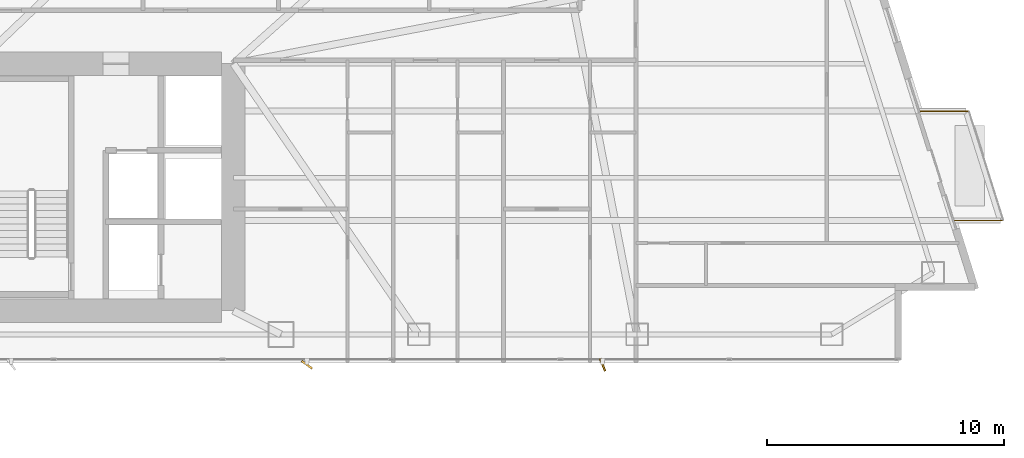
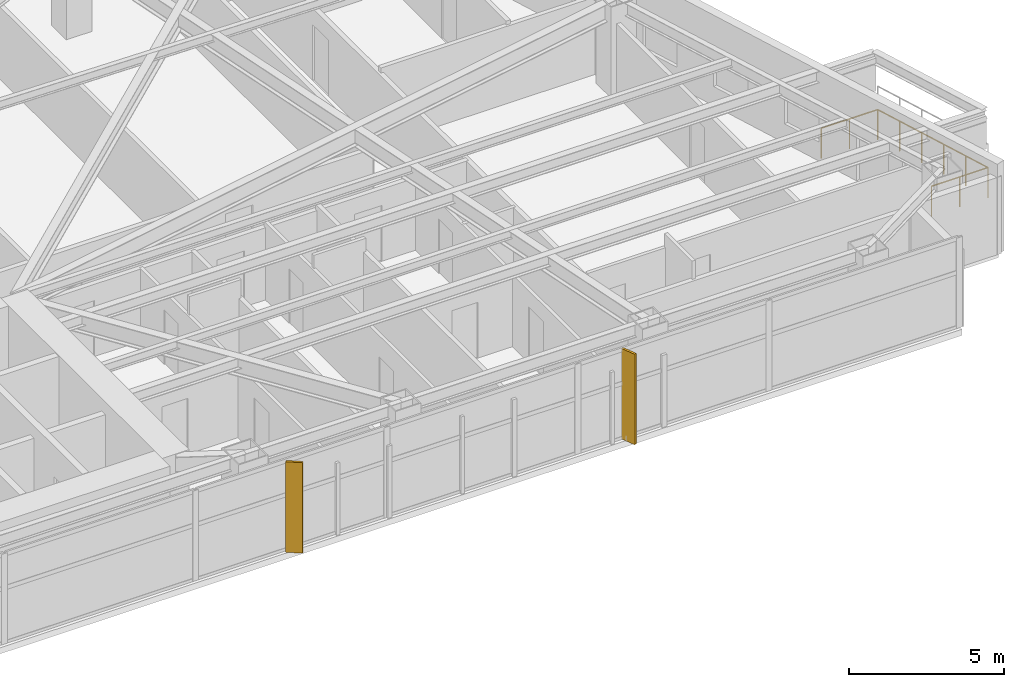
# One storey, part 29 of 30: 2 shading devices, 1 railing.
"""IFC4 building model written with IfcOpenShell, lengths in metres."""

from ifc_helpers import new_model, si_unit, direction, frame, origin, origin_2d, place, context, subcontext, project, spatial, rectangle, circle, extrude, material, type_object, element, save


model = new_model("IFC4")

# Units and contexts
model_context = context("Model", 3, precision=1e-05, world=origin(), true_north=direction((0.0, 1.0)))
body_context = subcontext(model_context, "Body", "Model", "MODEL_VIEW")
ifc_project = project(units=[si_unit("LENGTHUNIT", "METRE"), si_unit("AREAUNIT", "SQUARE_METRE"), si_unit("VOLUMEUNIT", "CUBIC_METRE"), si_unit("PLANEANGLEUNIT", "RADIAN"), si_unit("MASSUNIT", "GRAM", prefix="KILO")], contexts=[model_context])

# Site, building, storey
site_placement = place(None, origin())
site = spatial("IfcSite", under=ifc_project, at=site_placement, CompositionType="ELEMENT")
building_placement = place(site_placement, origin())
building = spatial("IfcBuilding", under=site, at=building_placement, Name="Calvorn Quay Hotel", CompositionType="ELEMENT")
storey_placement = place(building_placement, frame((0.0, 0.0, 50.800048828125)))
storey = spatial("IfcBuildingStorey", under=building, at=storey_placement, Name="L11", CompositionType="ELEMENT", Elevation=50.800048828125)

# Railing
ifc_material_1 = material(Name="Pale Anodised Aluminium and Laminated Glass", Category="aluminium")
railing_type = type_object("IfcRailingType", Name="RLG-BALUSTRADE-1200", PredefinedType="BALUSTRADE", material=ifc_material_1)
railing_placement = place(storey_placement, frame((62.72802734375, 8.39990234375, 0.0)))
element("IfcRailing", 1, at=railing_placement, inside=storey, type_object=railing_type, Name="Tree Balcony Perimeter Balustrade L11-BALC-E", PredefinedType="BALUSTRADE", context=body_context, shape_type="SweptSolid", body=[
    extrude(circle(Radius=0.02392578125, at=origin_2d()), frame((0.0, 0.0, 1.17578125), z_axis=(1.0, 0.0, 0.0), x_axis=(0.0, 1.0, 0.0)), (0.0, 0.0, 1.0), 2.099853515625),
    extrude(circle(Radius=0.02392578125, at=origin_2d()), frame((2.099853515625, 0.0, 1.17578125), z_axis=(-0.300620172346, 0.953743944662, 0.0), x_axis=(-0.953743944662, -0.300620172346, 0.0)), (0.0, 0.0, 1.0), 4.8232421875),
    extrude(circle(Radius=0.02392578125, at=origin_2d()), frame((0.64990234375, 4.60009765625, 1.17578125), z_axis=(-1.0, 0.0, 0.0), x_axis=(0.0, -1.0, 0.0)), (0.0, 0.0, 1.0), 2.099853515625),
    extrude(circle(Radius=0.02099609375, at=origin_2d()), origin(), (0.0, 0.0, 1.0), 1.15185546875),
    extrude(circle(Radius=0.02099609375, at=origin_2d()), frame((1.0498046875, 0.0, 0.0)), (0.0, 0.0, 1.0), 1.15185546875),
    extrude(circle(Radius=0.02099609375, at=origin_2d()), frame((2.099853515625, 0.0, 0.0)), (0.0, 0.0, 1.0), 1.15185546875),
    extrude(circle(Radius=0.02099609375, at=origin_2d()), frame((1.809814453125, 0.919921875, 0.0)), (0.0, 0.0, 1.0), 1.15185546875),
    extrude(circle(Radius=0.02099609375, at=origin_2d()), frame((1.519775390625, 1.840087890625, 0.0)), (0.0, 0.0, 1.0), 1.15185546875),
    extrude(circle(Radius=0.02099609375, at=origin_2d()), frame((1.22998046875, 2.760009765625, 0.0)), (0.0, 0.0, 1.0), 1.15185546875),
    extrude(circle(Radius=0.02099609375, at=origin_2d()), frame((0.93994140625, 3.68017578125, 0.0)), (0.0, 0.0, 1.0), 1.15185546875),
    extrude(circle(Radius=0.02099609375, at=origin_2d()), frame((0.64990234375, 4.60009765625, 0.0)), (0.0, 0.0, 1.0), 1.15185546875),
    extrude(circle(Radius=0.02099609375, at=origin_2d()), frame((-0.39990234375, 4.60009765625, 0.0)), (0.0, 0.0, 1.0), 1.15185546875),
    extrude(circle(Radius=0.02099609375, at=origin_2d()), frame((-1.449951171875, 4.60009765625, 0.0)), (0.0, 0.0, 1.0), 1.15185546875),
])

# Shading devices
ifc_material_2 = material(Name="Champagne Bronze Anodised Aluminium 6063-T6", Category="aluminium")
shading_device_type_1 = type_object("IfcShadingDeviceType", Name="SHD-FIN-A1", PredefinedType="USERDEFINED", material=ifc_material_2)
shading_device_1_placement = place(storey_placement, frame((47.949951171875, 2.320068359375, 0.0), z_axis=(0.0, 0.0, 1.0), x_axis=(-0.374606593416, 0.927183854567, 0.0)))
element("IfcShadingDevice", 2, at=shading_device_1_placement, inside=storey, type_object=shading_device_type_1, Name="Diagonal Sun-Shading Fin L11-S03", ObjectType="FIN", PredefinedType="USERDEFINED", context=body_context, shape_type="SweptSolid", body=[
    extrude(rectangle(XDim=0.550048828125, YDim=0.080078125, at=origin_2d()), origin(), (0.0, 0.0, 1.0), 3.56005859375),
])
ifc_material_3 = material(Name="Champagne Bronze Anodised Aluminium 6063-T6", Category="aluminium")
shading_device_type_2 = type_object("IfcShadingDeviceType", Name="SHD-FIN-A3", PredefinedType="USERDEFINED", material=ifc_material_3)
shading_device_2_placement = place(storey_placement, frame((35.5, 2.320068359375, 0.0), z_axis=(0.0, 0.0, 1.0), x_axis=(-0.809016994375, 0.587785252292, 0.0)))
element("IfcShadingDevice", 3, at=shading_device_2_placement, inside=storey, type_object=shading_device_type_2, Name="Diagonal Sun-Shading Fin L11-S02", ObjectType="FIN", PredefinedType="USERDEFINED", context=body_context, shape_type="SweptSolid", body=[
    extrude(rectangle(XDim=0.550048828125, YDim=0.080078125, at=origin_2d()), origin(), (0.0, 0.0, 1.0), 3.56005859375),
])

save(model, "model.ifc")
